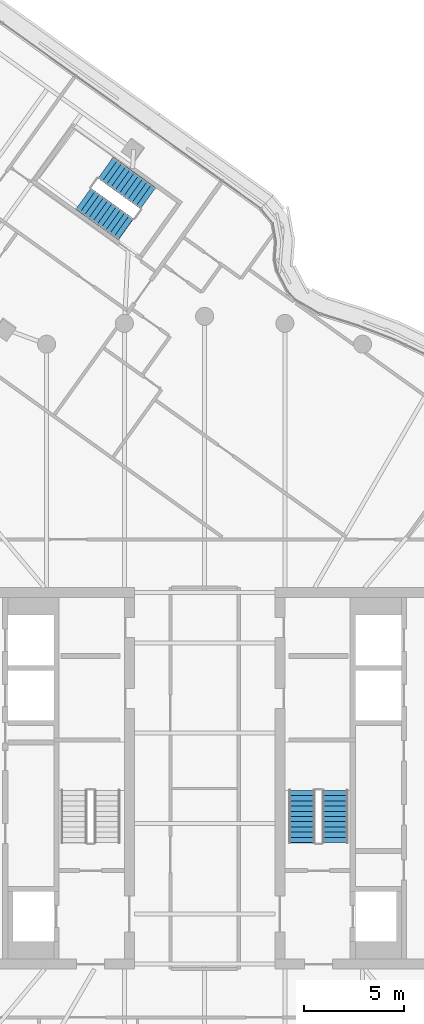
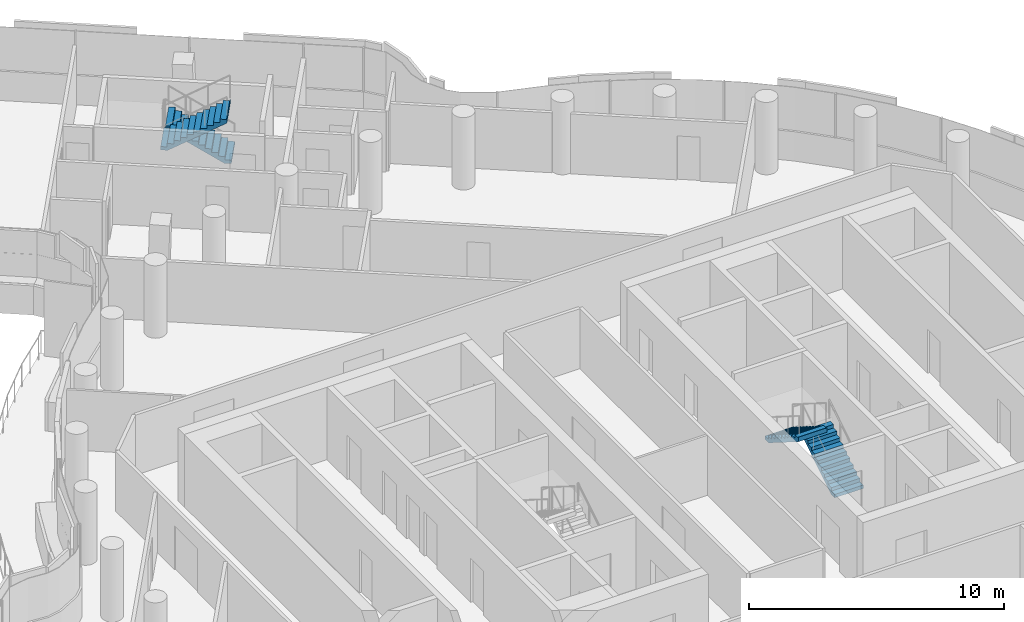
# One storey, part 21 of 27: 4 stair flights, 2 elements without a shape of their own.
"""IFC4 building model written with IfcOpenShell, lengths in metres."""

from ifc_helpers import new_model, si_unit, direction, frame, origin, place, context, subcontext, project, spatial, polyline, outline, extrude, material, type_object, element, aggregate, save


model = new_model("IFC4")

# Units and contexts
model_context = context("Model", 3, precision=1e-05, world=origin(), true_north=direction((0.0, 1.0)))
body_context = subcontext(model_context, "Body", "Model", "MODEL_VIEW")
ifc_project = project(units=[si_unit("LENGTHUNIT", "METRE"), si_unit("AREAUNIT", "SQUARE_METRE"), si_unit("VOLUMEUNIT", "CUBIC_METRE"), si_unit("PLANEANGLEUNIT", "RADIAN"), si_unit("MASSUNIT", "GRAM", prefix="KILO")], contexts=[model_context])

# Site, building, storey
site_placement = place(None, origin())
site = spatial("IfcSite", under=ifc_project, at=site_placement, CompositionType="ELEMENT")
building_placement = place(site_placement, origin())
building = spatial("IfcBuilding", under=site, at=building_placement, Name="Tamarind Cross Interchange Tower", CompositionType="ELEMENT")
storey_placement = place(building_placement, frame((0.0, 0.0, 230.699951171875)))
storey = spatial("IfcBuildingStorey", under=building, at=storey_placement, Name="L58", CompositionType="ELEMENT", Elevation=230.699951171875)

# Stair, stair flights
ifc_material_1 = material(Name="Exit stair")
stair_type = type_object("IfcStairType", Name="Exit stair", PredefinedType="HALF_TURN_STAIR", material=ifc_material_1)
stair_1_placement = place(storey_placement, origin())
stair_1 = element("IfcStair", 1, at=stair_1_placement, inside=storey, type_object=stair_type, Name="L58 exit stair ST2", PredefinedType="HALF_TURN_STAIR")
ifc_material_2 = material(Name="Exit stair flight")
stair_flight_type = type_object("IfcStairFlightType", Name="Exit stair flight", PredefinedType="STRAIGHT", material=ifc_material_2)
stair_flight_1_placement = place(storey_placement, frame((6.5, -3.199951171875, 0.0), z_axis=(0.0, 0.0, 1.0), x_axis=(0.0, 1.0, 0.0)))
stair_flight_1 = element("IfcStairFlight", 2, at=stair_flight_1_placement, type_object=stair_flight_type, Name="ST2 flight 1", NumberOfRisers=11, NumberOfTreads=10, PredefinedType="STRAIGHT", RiserHeight=0.163636364, TreadLength=0.26, context=body_context, shape_type="SweptSolid", body=[
    extrude(outline(polyline([(0.0, 0.0), (0.0, 0.16357421875), (0.260009765625, 0.16357421875), (0.260009765625, 0.327392578125), (0.52001953125, 0.327392578125), (0.52001953125, 0.490966796875), (0.780029296875, 0.490966796875), (0.780029296875, 0.654541015625), (1.0400390625, 0.654541015625), (1.0400390625, 0.818115234375), (1.300048828125, 0.818115234375), (1.300048828125, 0.98193359375), (1.56005859375, 0.98193359375), (1.56005859375, 1.1455078125), (1.820068359375, 1.1455078125), (1.820068359375, 1.30908203125), (2.080078125, 1.30908203125), (2.080078125, 1.47265625), (2.340087890625, 1.47265625), (2.340087890625, 1.636474609375), (2.60009765625, 1.636474609375), (2.60009765625, 1.800048828125), (2.60009765625, 1.459228515625), (0.281494140625, 0.0), (0.0, 0.0)])), frame((0.0, 0.64990234375, 0.0), z_axis=(0.0, -1.0, 0.0), x_axis=(1.0, 0.0, 0.0)), (0.0, 0.0, 1.0), 1.300048828125),
])
stair_flight_2_placement = place(storey_placement, frame((4.85009765625, -0.60009765625, 1.800048828125), z_axis=(0.0, 0.0, 1.0), x_axis=(0.0, -1.0, 0.0)))
stair_flight_2 = element("IfcStairFlight", 3, at=stair_flight_2_placement, type_object=stair_flight_type, Name="ST2 flight 2", NumberOfRisers=11, NumberOfTreads=10, PredefinedType="STRAIGHT", RiserHeight=0.163636364, TreadLength=0.26, context=body_context, shape_type="SweptSolid", body=[
    extrude(outline(polyline([(0.0, 0.0), (0.0, 0.16357421875), (0.260009765625, 0.16357421875), (0.260009765625, 0.327392578125), (0.52001953125, 0.327392578125), (0.52001953125, 0.490966796875), (0.780029296875, 0.490966796875), (0.780029296875, 0.654541015625), (1.0400390625, 0.654541015625), (1.0400390625, 0.818115234375), (1.300048828125, 0.818115234375), (1.300048828125, 0.98193359375), (1.56005859375, 0.98193359375), (1.56005859375, 1.1455078125), (1.820068359375, 1.1455078125), (1.820068359375, 1.30908203125), (2.080078125, 1.30908203125), (2.080078125, 1.47265625), (2.340087890625, 1.47265625), (2.340087890625, 1.636474609375), (2.60009765625, 1.636474609375), (2.60009765625, 1.679931640625), (2.612060546875, 1.679931640625), (2.612060546875, 1.466796875), (0.281494140625, 0.0), (0.0, 0.0)])), frame((0.0, 0.64990234375, 0.0), z_axis=(0.0, -1.0, 0.0), x_axis=(1.0, 0.0, 0.0)), (0.0, 0.0, 1.0), 1.300048828125),
])
aggregate(stair_1, [stair_flight_1, stair_flight_2])

stair_2_placement = place(storey_placement, origin())
stair_2 = element("IfcStair", 4, at=stair_2_placement, inside=storey, type_object=stair_type, Name="L58 exit stair ST4", PredefinedType="HALF_TURN_STAIR")
stair_flight_3_placement = place(storey_placement, frame((-2.814697265625, 28.882568359375, 0.0), z_axis=(0.0, 0.0, 1.0), x_axis=(-0.812384886086, 0.583121596975, 0.0)))
stair_flight_3 = element("IfcStairFlight", 5, at=stair_flight_3_placement, type_object=stair_flight_type, Name="ST4 flight 1", NumberOfRisers=11, NumberOfTreads=10, PredefinedType="STRAIGHT", RiserHeight=0.163636364, TreadLength=0.26, context=body_context, shape_type="SweptSolid", body=[
    extrude(outline(polyline([(0.0, 0.0), (0.0, 0.16357421875), (0.260009765625, 0.16357421875), (0.260009765625, 0.327392578125), (0.52001953125, 0.327392578125), (0.52001953125, 0.490966796875), (0.780029296875, 0.490966796875), (0.780029296875, 0.654541015625), (1.0400390625, 0.654541015625), (1.0400390625, 0.818115234375), (1.300048828125, 0.818115234375), (1.300048828125, 0.98193359375), (1.56005859375, 0.98193359375), (1.56005859375, 1.1455078125), (1.820068359375, 1.1455078125), (1.820068359375, 1.30908203125), (2.080078125, 1.30908203125), (2.080078125, 1.47265625), (2.340087890625, 1.47265625), (2.340087890625, 1.636474609375), (2.60009765625, 1.636474609375), (2.60009765625, 1.800048828125), (2.60009765625, 1.459228515625), (0.281494140625, 0.0), (0.0, 0.0)])), frame((0.0, 0.64990234375, 0.0), z_axis=(0.0, -1.0, 0.0), x_axis=(1.0, 0.0, 0.0)), (0.0, 0.0, 1.0), 1.300048828125),
])
stair_flight_4_placement = place(storey_placement, frame((-6.034912109375, 28.855224609375, 1.800048828125), z_axis=(0.0, 0.0, 1.0), x_axis=(0.812384886086, -0.583121596975, 0.0)))
stair_flight_4 = element("IfcStairFlight", 6, at=stair_flight_4_placement, type_object=stair_flight_type, Name="ST4 flight 2", NumberOfRisers=11, NumberOfTreads=10, PredefinedType="STRAIGHT", RiserHeight=0.163636364, TreadLength=0.26, context=body_context, shape_type="SweptSolid", body=[
    extrude(outline(polyline([(0.0, 0.0), (0.0, 0.16357421875), (0.260009765625, 0.16357421875), (0.260009765625, 0.327392578125), (0.52001953125, 0.327392578125), (0.52001953125, 0.490966796875), (0.780029296875, 0.490966796875), (0.780029296875, 0.654541015625), (1.0400390625, 0.654541015625), (1.0400390625, 0.818115234375), (1.300048828125, 0.818115234375), (1.300048828125, 0.98193359375), (1.56005859375, 0.98193359375), (1.56005859375, 1.1455078125), (1.820068359375, 1.1455078125), (1.820068359375, 1.30908203125), (2.080078125, 1.30908203125), (2.080078125, 1.47265625), (2.340087890625, 1.47265625), (2.340087890625, 1.636474609375), (2.60009765625, 1.636474609375), (2.60009765625, 1.679931640625), (2.612060546875, 1.679931640625), (2.612060546875, 1.466796875), (0.281494140625, 0.0), (0.0, 0.0)])), frame((0.0, 0.64990234375, 0.0), z_axis=(0.0, -1.0, 0.0), x_axis=(1.0, 0.0, 0.0)), (0.0, 0.0, 1.0), 1.300048828125),
])
aggregate(stair_2, [stair_flight_3, stair_flight_4])

save(model, "model.ifc")
